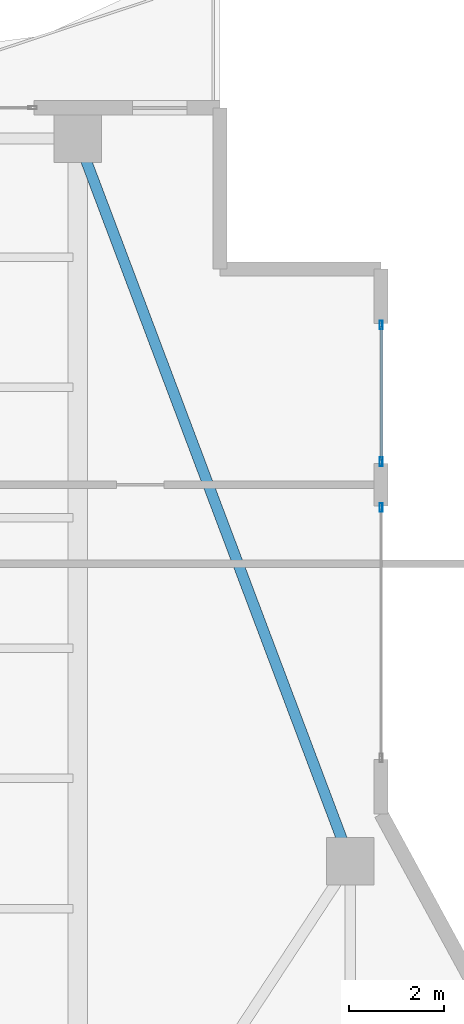
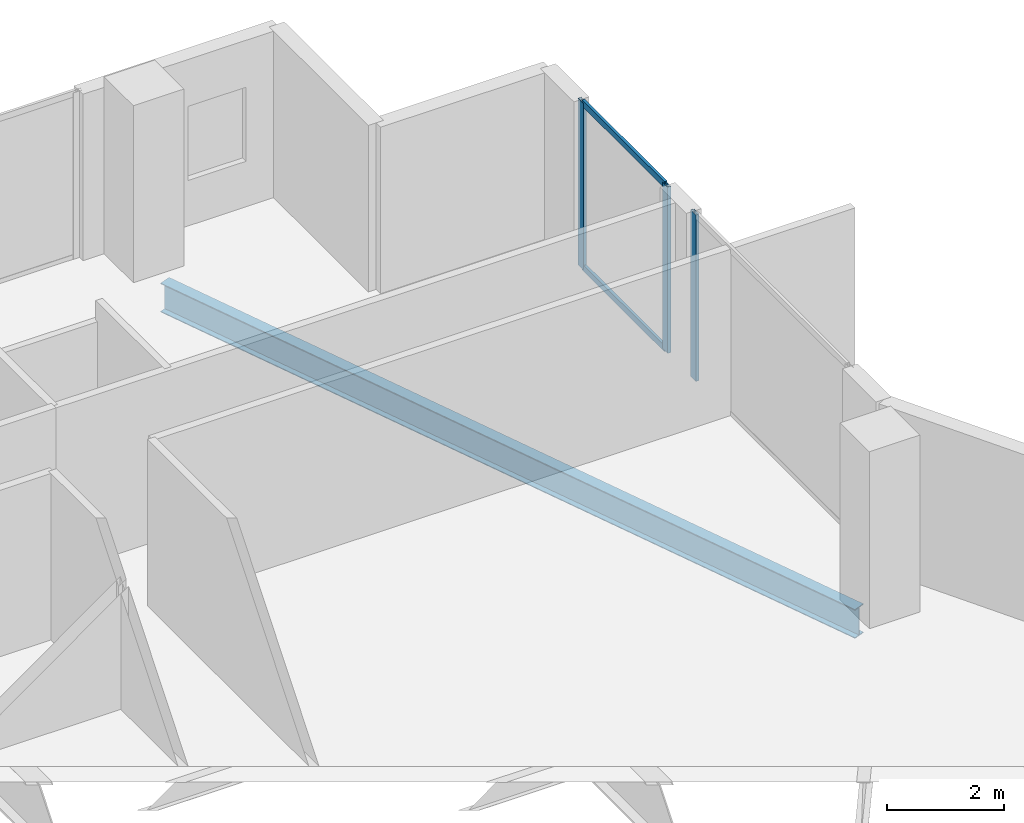
# One storey, part 15 of 25: 5 members, 1 beam, 2 elements without a shape of their own.
"""IFC4 building model written with IfcOpenShell, lengths in metres."""

from ifc_helpers import new_model, si_unit, direction, frame, origin, origin_2d, place, context, subcontext, project, spatial, hollow_rectangle, i_section, extrude, material, layer, layer_set, material_profile, profile_set, type_object, element, aggregate, save


model = new_model("IFC4")

# Units and contexts
model_context = context("Model", 3, precision=1e-05, world=origin(), true_north=direction((0.0, 1.0)))
body_context = subcontext(model_context, "Body", "Model", "MODEL_VIEW")
ifc_project = project(units=[si_unit("LENGTHUNIT", "METRE"), si_unit("AREAUNIT", "SQUARE_METRE"), si_unit("VOLUMEUNIT", "CUBIC_METRE"), si_unit("PLANEANGLEUNIT", "RADIAN"), si_unit("MASSUNIT", "GRAM", prefix="KILO")], contexts=[model_context])

# Site, building, storey
site_placement = place(None, origin())
site = spatial("IfcSite", under=ifc_project, at=site_placement, CompositionType="ELEMENT")
building_placement = place(site_placement, origin())
building = spatial("IfcBuilding", under=site, at=building_placement, Name="Zuhayl Quay Hotel", CompositionType="ELEMENT")
storey_placement = place(building_placement, frame((0.0, 0.0, 243.35009765625)))
storey = spatial("IfcBuildingStorey", under=building, at=storey_placement, Name="L61", CompositionType="ELEMENT", Elevation=243.35009765625)

# Beam
ifc_material_1 = material(Name="Steel ASTM A992 Grade 50", Category="steel")
ifc_material_profile_1 = material_profile(ifc_material_1, i_section(OverallWidth=0.22802734375, OverallDepth=0.60693359375, WebThickness=0.01123046875, FlangeThickness=0.017333984375, at=origin_2d()), Name="W24X76")
ifc_profile_set_1 = profile_set([ifc_material_profile_1], Name="Steel ASTM A992 Grade 50")
beam_type = type_object("IfcBeamType", Name="BM_B3_W24X76", PredefinedType="BEAM", material=ifc_profile_set_1)
beam_placement = place(storey_placement, frame((19.3876953125, 23.530517578125, -0.523681640625), z_axis=(-0.352796603103, 0.935700035716, 0.0), x_axis=(-0.935700035716, -0.352796603103, 0.0)))
element("IfcBeam", 1, at=beam_placement, inside=storey, type_object=beam_type, Name="L61 Floor Beam RG_L61_06", PredefinedType="BEAM", context=body_context, shape_type="SweptSolid", body=[
    extrude(i_section(OverallWidth=0.22802734375, OverallDepth=0.60693359375, WebThickness=0.01123046875, FlangeThickness=0.017333984375, at=origin_2d()), origin(), (0.0, 0.0, 1.0), 15.3779296875),
])

# Curtain wall, members
ifc_material_2 = material(Name="Anodised Aluminium 6063-T6", Category="aluminium")
ifc_layer = layer(ifc_material_2, 0.169921875, Name="Anodised Aluminium 6063-T6", Category="aluminium")
ifc_layer_set = layer_set([ifc_layer], Name="Anodised Aluminium 6063-T6")
curtain_wall_type = type_object("IfcCurtainWallType", Name="CW_SYS_Z4", PredefinedType="USERDEFINED", material=ifc_layer_set)
curtain_wall_1_placement = place(storey_placement, origin())
curtain_wall_1 = element("IfcCurtainWall", 2, at=curtain_wall_1_placement, inside=storey, type_object=curtain_wall_type, Name="L61 Curtain Wall ENV_L61_E11_CW1", ObjectType="UNITISED CURTAIN WALL", PredefinedType="USERDEFINED")
ifc_material_3 = material(Name="Black-anodised aluminium 6063-T6", Category="aluminium")
ifc_material_profile_2 = material_profile(ifc_material_3, hollow_rectangle(XDim=0.06494140625, YDim=0.179931640625, WallThickness=0.00341796875, at=origin_2d()), Name="ALU180X65")
ifc_profile_set_2 = profile_set([ifc_material_profile_2], Name="Black-anodised aluminium 6063-T6")
member_type_1 = type_object("IfcMemberType", Name="MB_CW_MUL_180", PredefinedType="MULLION", material=ifc_profile_set_2)
member_1_placement = place(storey_placement, frame((20.199951171875, 34.41748046875, 0.0), z_axis=(0.0, 0.0, 1.0), x_axis=(1.0, 0.0, 0.0)))
member_1 = element("IfcMember", 3, at=member_1_placement, type_object=member_type_1, Name="CW-Z4 mullion 1", PredefinedType="MULLION", context=body_context, shape_type="SweptSolid", body=[
    extrude(hollow_rectangle(XDim=0.06494140625, YDim=0.179931640625, WallThickness=0.00341796875, at=origin_2d()), origin(), (0.0, 0.0, 1.0), 3.47998046875),
])
member_2_placement = place(storey_placement, frame((20.199951171875, 31.532470703125, 0.0), z_axis=(0.0, 0.0, 1.0), x_axis=(1.0, 0.0, 0.0)))
member_2 = element("IfcMember", 4, at=member_2_placement, type_object=member_type_1, Name="CW-Z4 mullion 2", PredefinedType="MULLION", context=body_context, shape_type="SweptSolid", body=[
    extrude(hollow_rectangle(XDim=0.06494140625, YDim=0.179931640625, WallThickness=0.00341796875, at=origin_2d()), origin(), (0.0, 0.0, 1.0), 3.47998046875),
])

# Curtain wall, member
curtain_wall_2_placement = place(storey_placement, origin())
curtain_wall_2 = element("IfcCurtainWall", 5, at=curtain_wall_2_placement, inside=storey, type_object=curtain_wall_type, Name="L61 Curtain Wall ENV_L61_E11_CW2", ObjectType="UNITISED CURTAIN WALL", PredefinedType="USERDEFINED")
member_3_placement = place(storey_placement, frame((20.199951171875, 30.5673828125, 0.0), z_axis=(0.0, 0.0, 1.0), x_axis=(1.0, 0.0, 0.0)))
member_3 = element("IfcMember", 6, at=member_3_placement, type_object=member_type_1, Name="CW-Z4 mullion 1", PredefinedType="MULLION", context=body_context, shape_type="SweptSolid", body=[
    extrude(hollow_rectangle(XDim=0.06494140625, YDim=0.179931640625, WallThickness=0.00341796875, at=origin_2d()), origin(), (0.0, 0.0, 1.0), 3.47998046875),
])
aggregate(curtain_wall_2, [member_3])

# Member
ifc_material_profile_3 = material_profile(ifc_material_3, hollow_rectangle(XDim=0.054931640625, YDim=0.1298828125, WallThickness=0.0029296875, at=origin_2d()), Name="ALU130X55")
ifc_profile_set_3 = profile_set([ifc_material_profile_3], Name="Black-anodised aluminium 6063-T6")
member_type_2 = type_object("IfcMemberType", Name="MB_CW_TRN_130", PredefinedType="USERDEFINED", material=ifc_profile_set_3)
member_4_placement = place(storey_placement, frame((20.199951171875, 34.385009765625, 0.02734375), z_axis=(0.0, -1.0, 0.0), x_axis=(1.0, 0.0, 0.0)))
member_4 = element("IfcMember", 7, at=member_4_placement, type_object=member_type_2, Name="CW-Z4 transom 1.1", ObjectType="TRANSOM", PredefinedType="USERDEFINED", context=body_context, shape_type="SweptSolid", body=[
    extrude(hollow_rectangle(XDim=0.054931640625, YDim=0.1298828125, WallThickness=0.0029296875, at=origin_2d()), origin(), (0.0, 0.0, 1.0), 2.820068359375),
])

member_5_placement = place(storey_placement, frame((20.199951171875, 34.385009765625, 3.452392578125), z_axis=(0.0, -1.0, 0.0), x_axis=(1.0, 0.0, 0.0)))
member_5 = element("IfcMember", 8, at=member_5_placement, type_object=member_type_2, Name="CW-Z4 transom 1.2", ObjectType="TRANSOM", PredefinedType="USERDEFINED", context=body_context, shape_type="SweptSolid", body=[
    extrude(hollow_rectangle(XDim=0.054931640625, YDim=0.1298828125, WallThickness=0.0029296875, at=origin_2d()), origin(), (0.0, 0.0, 1.0), 2.820068359375),
])

aggregate(curtain_wall_1, [member_1, member_2, member_4, member_5])

save(model, "model.ifc")
